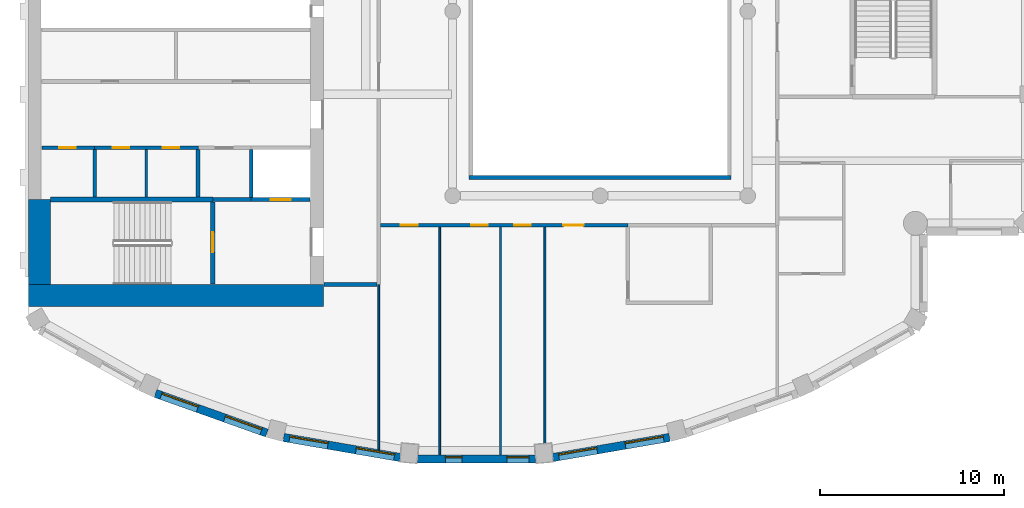
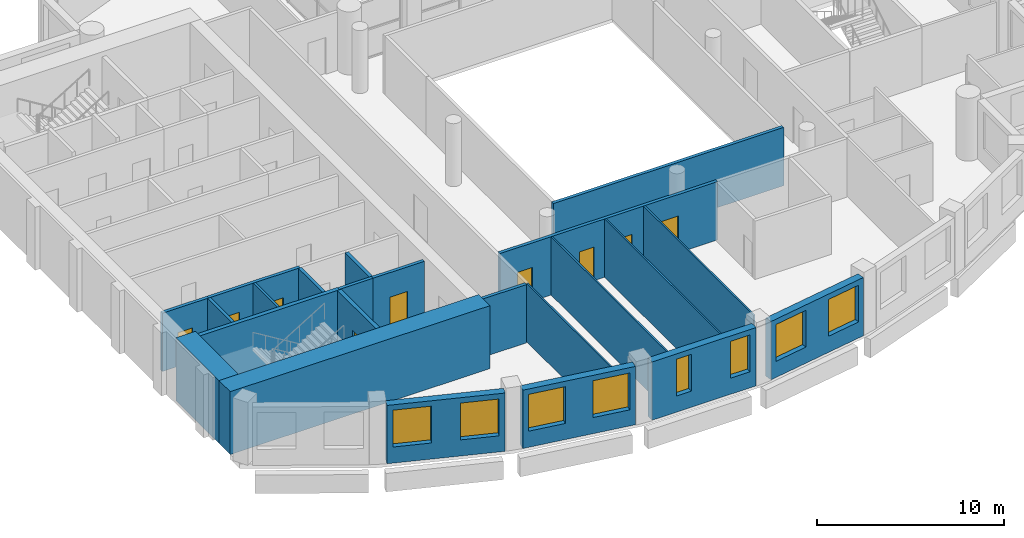
# One storey, part 4 of 15: 23 walls, 9 doors, 8 windows, 17 openings.
"""IFC4 building model written with IfcOpenShell, lengths in metres."""

from ifc_helpers import new_model, si_unit, direction, frame, frame_2d, origin, place, context, subcontext, project, spatial, rectangle, extrude, material, layer, layer_set, type_object, element, fill, save


model = new_model("IFC4")

# Units and contexts
model_context = context("Model", 3, precision=1e-05, world=origin(), true_north=direction((0.0, 1.0)))
body_context = subcontext(model_context, "Body", "Model", "MODEL_VIEW")
ifc_project = project(units=[si_unit("LENGTHUNIT", "METRE"), si_unit("AREAUNIT", "SQUARE_METRE"), si_unit("VOLUMEUNIT", "CUBIC_METRE"), si_unit("PLANEANGLEUNIT", "RADIAN"), si_unit("MASSUNIT", "GRAM", prefix="KILO")], contexts=[model_context])

# Site, building, storey
site_placement = place(None, origin())
site = spatial("IfcSite", under=ifc_project, at=site_placement, CompositionType="ELEMENT")
building_placement = place(site_placement, origin())
building = spatial("IfcBuilding", under=site, at=building_placement, Name="Cypress Arch Tower", CompositionType="ELEMENT")
storey_placement = place(building_placement, frame((0.0, 0.0, 292.60009765625)))
storey = spatial("IfcBuildingStorey", under=building, at=storey_placement, Name="L66", CompositionType="ELEMENT", Elevation=292.60009765625)

# Wall, openings, windows
ifc_material_1 = material(Name="Brick (red buff blend)", Category="masonry")
ifc_layer_1 = layer(ifc_material_1, 0.449951171875)
ifc_layer_set_1 = layer_set([ifc_layer_1], Name="Brick pier and spandrel wall BW450")
wall_type_1 = type_object("IfcWallType", Name="Brick pier and spandrel wall BW450", PredefinedType="SOLIDWALL", material=ifc_layer_set_1)
wall_1_placement = place(storey_placement, frame((-23.10498046875, -20.70947265625, 0.0), z_axis=(0.0, 0.0, 1.0), x_axis=(0.942104058931, -0.335320655711, 0.0)))
wall_1 = element("IfcWall", 1, at=wall_1_placement, inside=storey, type_object=wall_type_1, Name="Brick wall L66 C09.0", PredefinedType="SOLIDWALL", context=body_context, shape_type="SweptSolid", body=[
    extrude(rectangle(XDim=6.411376953125, YDim=0.449951171875, at=frame_2d((3.20556640625, 0.0))), origin(), (0.0, 0.0, 1.0), 3.7998046875),
])
opening_1_placement = place(wall_1_placement, frame((0.3271484375, 0.0, 1.050048828125)))
opening_1 = element("IfcOpeningElement", 2, at=opening_1_placement, cuts=wall_1, Name="Opening W210O", PredefinedType="OPENING", context=body_context, shape_type="SweptSolid", body=[
    extrude(rectangle(XDim=2.10009765625, YDim=2.39990234375, at=frame_2d((1.050048828125, 1.199951171875))), frame((0.0, 0.23486328125, 0.0), z_axis=(0.0, -1.0, 0.0), x_axis=(1.0, 0.0, 0.0)), (0.0, 0.0, 1.0), 0.469970703125),
])
opening_2_placement = place(wall_1_placement, frame((3.984619140625, 0.0, 1.050048828125)))
opening_2 = element("IfcOpeningElement", 3, at=opening_2_placement, cuts=wall_1, Name="Opening W210O", PredefinedType="OPENING", context=body_context, shape_type="SweptSolid", body=[
    extrude(rectangle(XDim=2.10009765625, YDim=2.39990234375, at=frame_2d((1.050048828125, 1.199951171875))), frame((0.0, 0.23486328125, 0.0), z_axis=(0.0, -1.0, 0.0), x_axis=(1.0, 0.0, 0.0)), (0.0, 0.0, 1.0), 0.469970703125),
])
ifc_material_2 = material(Name="Anodised aluminium, bronze finish, clear low-emissivity double glazing", Category="aluminium")
window_type_1 = type_object("IfcWindowType", Name="Window Office 2100x2400", PartitioningType="SINGLE_PANEL", PredefinedType="WINDOW", material=ifc_material_2)
window_1_placement = place(opening_1_placement, origin())
window_1 = element("IfcWindow", 4, at=window_1_placement, inside=storey, type_object=window_type_1, Name="Window L66 C09.0.1", OverallHeight=2.39990234375, OverallWidth=2.10009765625, PartitioningType="SINGLE_PANEL", PredefinedType="WINDOW", context=body_context, shape_type="SweptSolid", body=[
    extrude(rectangle(XDim=2.10009765625, YDim=2.39990234375, at=frame_2d((1.050048828125, 1.199951171875))), frame((0.0, 0.135009765625, 0.0), z_axis=(0.0, -1.0, 0.0), x_axis=(1.0, 0.0, 0.0)), (0.0, 0.0, 1.0), 0.06005859375),
])
fill(opening_1, window_1)
window_2_placement = place(opening_2_placement, origin())
window_2 = element("IfcWindow", 5, at=window_2_placement, inside=storey, type_object=window_type_1, Name="Window L66 C09.0.2", OverallHeight=2.39990234375, OverallWidth=2.10009765625, PartitioningType="SINGLE_PANEL", PredefinedType="WINDOW", context=body_context, shape_type="SweptSolid", body=[
    extrude(rectangle(XDim=2.10009765625, YDim=2.39990234375, at=frame_2d((1.050048828125, 1.199951171875))), frame((0.0, 0.135009765625, 0.0), z_axis=(0.0, -1.0, 0.0), x_axis=(1.0, 0.0, 0.0)), (0.0, 0.0, 1.0), 0.06005859375),
])
fill(opening_2, window_2)

wall_2_placement = place(storey_placement, frame((-16.15673828125, -23.09716796875, 0.0), z_axis=(0.0, 0.0, 1.0), x_axis=(0.985502073964, -0.169663379113, 0.0)))
wall_2 = element("IfcWall", 6, at=wall_2_placement, inside=storey, type_object=wall_type_1, Name="Brick wall L66 C10.0", PredefinedType="SOLIDWALL", context=body_context, shape_type="SweptSolid", body=[
    extrude(rectangle(XDim=6.412109375, YDim=0.449951171875, at=frame_2d((3.2060546875, 0.0))), origin(), (0.0, 0.0, 1.0), 3.7998046875),
])
opening_3_placement = place(wall_2_placement, frame((0.3271484375, 0.0, 1.050048828125)))
opening_3 = element("IfcOpeningElement", 7, at=opening_3_placement, cuts=wall_2, Name="Opening W210O", PredefinedType="OPENING", context=body_context, shape_type="SweptSolid", body=[
    extrude(rectangle(XDim=2.10009765625, YDim=2.39990234375, at=frame_2d((1.050048828125, 1.199951171875))), frame((0.0, 0.23486328125, 0.0), z_axis=(0.0, -1.0, 0.0), x_axis=(1.0, 0.0, 0.0)), (0.0, 0.0, 1.0), 0.469970703125),
])
opening_4_placement = place(wall_2_placement, frame((3.98486328125, 0.0, 1.050048828125)))
opening_4 = element("IfcOpeningElement", 8, at=opening_4_placement, cuts=wall_2, Name="Opening W210O", PredefinedType="OPENING", context=body_context, shape_type="SweptSolid", body=[
    extrude(rectangle(XDim=2.10009765625, YDim=2.39990234375, at=frame_2d((1.050048828125, 1.199951171875))), frame((0.0, 0.23486328125, 0.0), z_axis=(0.0, -1.0, 0.0), x_axis=(1.0, 0.0, 0.0)), (0.0, 0.0, 1.0), 0.469970703125),
])
window_3_placement = place(opening_3_placement, origin())
window_3 = element("IfcWindow", 9, at=window_3_placement, inside=storey, type_object=window_type_1, Name="Window L66 C10.0.1", OverallHeight=2.39990234375, OverallWidth=2.10009765625, PartitioningType="SINGLE_PANEL", PredefinedType="WINDOW", context=body_context, shape_type="SweptSolid", body=[
    extrude(rectangle(XDim=2.10009765625, YDim=2.39990234375, at=frame_2d((1.050048828125, 1.199951171875))), frame((0.0, 0.135009765625, 0.0), z_axis=(0.0, -1.0, 0.0), x_axis=(1.0, 0.0, 0.0)), (0.0, 0.0, 1.0), 0.06005859375),
])
fill(opening_3, window_3)
window_4_placement = place(opening_4_placement, origin())
window_4 = element("IfcWindow", 10, at=window_4_placement, inside=storey, type_object=window_type_1, Name="Window L66 C10.0.2", OverallHeight=2.39990234375, OverallWidth=2.10009765625, PartitioningType="SINGLE_PANEL", PredefinedType="WINDOW", context=body_context, shape_type="SweptSolid", body=[
    extrude(rectangle(XDim=2.10009765625, YDim=2.39990234375, at=frame_2d((1.050048828125, 1.199951171875))), frame((0.0, 0.135009765625, 0.0), z_axis=(0.0, -1.0, 0.0), x_axis=(1.0, 0.0, 0.0)), (0.0, 0.0, 1.0), 0.06005859375),
])
fill(opening_4, window_4)

wall_3_placement = place(storey_placement, frame((-8.90283203125, -24.264892578125, 0.0), z_axis=(0.0, 0.0, 1.0), x_axis=(1.0, 0.0, 0.0)))
wall_3 = element("IfcWall", 11, at=wall_3_placement, inside=storey, type_object=wall_type_1, Name="Brick wall L66 C11.0", PredefinedType="SOLIDWALL", context=body_context, shape_type="SweptSolid", body=[
    extrude(rectangle(XDim=6.405517578125, YDim=0.449951171875, at=frame_2d((3.20263671875, 0.0))), origin(), (0.0, 0.0, 1.0), 3.7998046875),
])
opening_5_placement = place(wall_3_placement, frame((1.51416015625, 0.0, 1.050048828125)))
opening_5 = element("IfcOpeningElement", 12, at=opening_5_placement, cuts=wall_3, Name="Opening W090O", PredefinedType="OPENING", context=body_context, shape_type="SweptSolid", body=[
    extrude(rectangle(XDim=0.89990234375, YDim=2.39990234375, at=frame_2d((0.449951171875, 1.199951171875))), frame((0.0, 0.23486328125, 0.0), z_axis=(0.0, -1.0, 0.0), x_axis=(1.0, 0.0, 0.0)), (0.0, 0.0, 1.0), 0.469970703125),
])
opening_6_placement = place(wall_3_placement, frame((4.84130859375, 0.0, 1.050048828125)))
opening_6 = element("IfcOpeningElement", 13, at=opening_6_placement, cuts=wall_3, Name="Opening W120O", PredefinedType="OPENING", context=body_context, shape_type="SweptSolid", body=[
    extrude(rectangle(XDim=1.199951171875, YDim=2.39990234375, at=frame_2d((0.60009765625, 1.199951171875))), frame((0.0, 0.23486328125, 0.0), z_axis=(0.0, -1.0, 0.0), x_axis=(1.0, 0.0, 0.0)), (0.0, 0.0, 1.0), 0.469970703125),
])
ifc_material_3 = material(Name="Anodised aluminium, bronze finish, clear low-emissivity double glazing", Category="aluminium")
window_type_2 = type_object("IfcWindowType", Name="Window Office 1200x2400", PartitioningType="SINGLE_PANEL", PredefinedType="WINDOW", material=ifc_material_3)
window_5_placement = place(opening_6_placement, origin())
window_5 = element("IfcWindow", 14, at=window_5_placement, inside=storey, type_object=window_type_2, Name="Window L66 C11.0.2", OverallHeight=2.39990234375, OverallWidth=1.199951171875, PartitioningType="SINGLE_PANEL", PredefinedType="WINDOW", context=body_context, shape_type="SweptSolid", body=[
    extrude(rectangle(XDim=1.199951171875, YDim=2.39990234375, at=frame_2d((0.60009765625, 1.199951171875))), frame((0.0, 0.135009765625, 0.0), z_axis=(0.0, -1.0, 0.0), x_axis=(1.0, 0.0, 0.0)), (0.0, 0.0, 1.0), 0.06005859375),
])
fill(opening_6, window_5)
ifc_material_4 = material(Name="Anodised aluminium, bronze finish, clear low-emissivity double glazing", Category="aluminium")
window_type_3 = type_object("IfcWindowType", Name="Window Office 900x2400", PartitioningType="SINGLE_PANEL", PredefinedType="WINDOW", material=ifc_material_4)
window_6_placement = place(opening_5_placement, origin())
window_6 = element("IfcWindow", 15, at=window_6_placement, inside=storey, type_object=window_type_3, Name="Window L66 C11.0.1", OverallHeight=2.39990234375, OverallWidth=0.89990234375, PartitioningType="SINGLE_PANEL", PredefinedType="WINDOW", context=body_context, shape_type="SweptSolid", body=[
    extrude(rectangle(XDim=0.89990234375, YDim=2.39990234375, at=frame_2d((0.449951171875, 1.199951171875))), frame((0.0, 0.135009765625, 0.0), z_axis=(0.0, -1.0, 0.0), x_axis=(1.0, 0.0, 0.0)), (0.0, 0.0, 1.0), 0.06005859375),
])
fill(opening_5, window_6)

wall_4_placement = place(storey_placement, frame((-1.562255859375, -24.18505859375, 0.0), z_axis=(0.0, 0.0, 1.0), x_axis=(0.985502073964, 0.169663379113, 0.0)))
wall_4 = element("IfcWall", 16, at=wall_4_placement, inside=storey, type_object=wall_type_1, Name="Brick wall L66 C12.0", PredefinedType="SOLIDWALL", context=body_context, shape_type="SweptSolid", body=[
    extrude(rectangle(XDim=6.412109375, YDim=0.449951171875, at=frame_2d((3.2060546875, 0.0))), origin(), (0.0, 0.0, 1.0), 3.7998046875),
])
opening_7_placement = place(wall_4_placement, frame((0.3271484375, 0.0, 1.050048828125)))
opening_7 = element("IfcOpeningElement", 17, at=opening_7_placement, cuts=wall_4, Name="Opening W210O", PredefinedType="OPENING", context=body_context, shape_type="SweptSolid", body=[
    extrude(rectangle(XDim=2.10009765625, YDim=2.39990234375, at=frame_2d((1.050048828125, 1.199951171875))), frame((0.0, 0.23486328125, 0.0), z_axis=(0.0, -1.0, 0.0), x_axis=(1.0, 0.0, 0.0)), (0.0, 0.0, 1.0), 0.469970703125),
])
opening_8_placement = place(wall_4_placement, frame((3.98486328125, 0.0, 1.050048828125)))
opening_8 = element("IfcOpeningElement", 18, at=opening_8_placement, cuts=wall_4, Name="Opening W210O", PredefinedType="OPENING", context=body_context, shape_type="SweptSolid", body=[
    extrude(rectangle(XDim=2.10009765625, YDim=2.39990234375, at=frame_2d((1.050048828125, 1.199951171875))), frame((0.0, 0.23486328125, 0.0), z_axis=(0.0, -1.0, 0.0), x_axis=(1.0, 0.0, 0.0)), (0.0, 0.0, 1.0), 0.469970703125),
])
window_7_placement = place(opening_7_placement, origin())
window_7 = element("IfcWindow", 19, at=window_7_placement, inside=storey, type_object=window_type_1, Name="Window L66 C12.0.1", OverallHeight=2.39990234375, OverallWidth=2.10009765625, PartitioningType="SINGLE_PANEL", PredefinedType="WINDOW", context=body_context, shape_type="SweptSolid", body=[
    extrude(rectangle(XDim=2.10009765625, YDim=2.39990234375, at=frame_2d((1.050048828125, 1.199951171875))), frame((0.0, 0.135009765625, 0.0), z_axis=(0.0, -1.0, 0.0), x_axis=(1.0, 0.0, 0.0)), (0.0, 0.0, 1.0), 0.06005859375),
])
fill(opening_7, window_7)
window_8_placement = place(opening_8_placement, origin())
window_8 = element("IfcWindow", 20, at=window_8_placement, inside=storey, type_object=window_type_1, Name="Window L66 C12.0.2", OverallHeight=2.39990234375, OverallWidth=2.10009765625, PartitioningType="SINGLE_PANEL", PredefinedType="WINDOW", context=body_context, shape_type="SweptSolid", body=[
    extrude(rectangle(XDim=2.10009765625, YDim=2.39990234375, at=frame_2d((1.050048828125, 1.199951171875))), frame((0.0, 0.135009765625, 0.0), z_axis=(0.0, -1.0, 0.0), x_axis=(1.0, 0.0, 0.0)), (0.0, 0.0, 1.0), 0.06005859375),
])
fill(opening_8, window_8)

# Walls
ifc_material_5 = material(Name="Concrete C60/75", Category="concrete")
ifc_layer_2 = layer(ifc_material_5, 1.199951171875)
ifc_layer_set_2 = layer_set([ifc_layer_2], Name="Core wall CW1200 C60/75")
wall_type_2 = type_object("IfcWallType", Name="Core wall CW1200 C60/75", PredefinedType="SHEAR", material=ifc_layer_set_2)
wall_5_placement = place(storey_placement, frame((-30.0, -15.39990234375, 0.0), z_axis=(0.0, 0.0, 1.0), x_axis=(1.0, 0.0, 0.0)))
element("IfcWall", 21, at=wall_5_placement, inside=storey, type_object=wall_type_2, Name="Core wall", PredefinedType="SHEAR", context=body_context, shape_type="SweptSolid", body=[
    extrude(rectangle(XDim=16.0, YDim=1.199951171875, at=frame_2d((8.0, 0.0))), origin(), (0.0, 0.0, 1.0), 4.099853515625),
])
wall_6_placement = place(storey_placement, frame((-29.39990234375, -14.800048828125, 0.0), z_axis=(0.0, 0.0, 1.0), x_axis=(0.0, 1.0, 0.0)))
element("IfcWall", 22, at=wall_6_placement, inside=storey, type_object=wall_type_2, Name="Core wall", PredefinedType="SHEAR", context=body_context, shape_type="SweptSolid", body=[
    extrude(rectangle(XDim=4.60009765625, YDim=1.199951171875, at=frame_2d((2.300048828125, 0.0))), origin(), (0.0, 0.0, 1.0), 4.099853515625),
])

# Wall, openings, doors
ifc_material_6 = material(Name="Concrete blockwork, plastered, rated", Category="masonry")
ifc_layer_3 = layer(ifc_material_6, 0.199951171875)
ifc_layer_set_3 = layer_set([ifc_layer_3], Name="Corridor wall FW200")
wall_type_3 = type_object("IfcWallType", Name="Corridor wall FW200", PredefinedType="PARTITIONING", material=ifc_layer_set_3)
wall_7_placement = place(storey_placement, frame((-26.419921875, -7.39990234375, 0.0), z_axis=(0.0, 0.0, 1.0), x_axis=(1.0, 0.0, 0.0)))
wall_7 = element("IfcWall", 23, at=wall_7_placement, inside=storey, type_object=wall_type_3, Name="Corridor wall", PredefinedType="PARTITIONING", context=body_context, shape_type="SweptSolid", body=[
    extrude(rectangle(XDim=5.639892578125, YDim=0.199951171875, at=frame_2d((2.81982421875, 0.0))), origin(), (0.0, 0.0, 1.0), 3.7998046875),
])
opening_9_placement = place(wall_7_placement, frame((1.0, 0.0, 0.0)))
opening_9 = element("IfcOpeningElement", 24, at=opening_9_placement, cuts=wall_7, Name="Opening D05", PredefinedType="OPENING", context=body_context, shape_type="SweptSolid", body=[
    extrude(rectangle(XDim=0.89990234375, YDim=2.199951171875, at=frame_2d((0.449951171875, 1.10009765625))), frame((0.0, 0.10986328125, 0.0), z_axis=(0.0, -1.0, 0.0), x_axis=(1.0, 0.0, 0.0)), (0.0, 0.0, 1.0), 0.219970703125),
])
opening_10_placement = place(wall_7_placement, frame((3.699951171875, 0.0, 0.0)))
opening_10 = element("IfcOpeningElement", 25, at=opening_10_placement, cuts=wall_7, Name="Opening D05", PredefinedType="OPENING", context=body_context, shape_type="SweptSolid", body=[
    extrude(rectangle(XDim=0.89990234375, YDim=2.199951171875, at=frame_2d((0.449951171875, 1.10009765625))), frame((0.0, 0.10986328125, 0.0), z_axis=(0.0, -1.0, 0.0), x_axis=(1.0, 0.0, 0.0)), (0.0, 0.0, 1.0), 0.219970703125),
])
ifc_material_7 = material(Name="Timber flush door", Category="wood")
door_type_1 = type_object("IfcDoorType", Name="Service door D05 900x2200", OperationType="SINGLE_SWING_LEFT", PredefinedType="DOOR", material=ifc_material_7)
door_1_placement = place(opening_9_placement, origin())
door_1 = element("IfcDoor", 26, at=door_1_placement, inside=storey, type_object=door_type_1, Name="Service door", OperationType="SINGLE_SWING_LEFT", OverallHeight=2.199951171875, OverallWidth=0.89990234375, PredefinedType="DOOR", context=body_context, shape_type="SweptSolid", body=[
    extrude(rectangle(XDim=0.89990234375, YDim=2.199951171875, at=frame_2d((0.449951171875, 1.10009765625))), frame((0.0, 0.02490234375, 0.0), z_axis=(0.0, -1.0, 0.0), x_axis=(1.0, 0.0, 0.0)), (0.0, 0.0, 1.0), 0.050048828125),
])
fill(opening_9, door_1)
door_2_placement = place(opening_10_placement, origin())
door_2 = element("IfcDoor", 27, at=door_2_placement, inside=storey, type_object=door_type_1, Name="Service door", OperationType="SINGLE_SWING_RIGHT", OverallHeight=2.199951171875, OverallWidth=0.89990234375, PredefinedType="DOOR", context=body_context, shape_type="SweptSolid", body=[
    extrude(rectangle(XDim=0.89990234375, YDim=2.199951171875, at=frame_2d((0.449951171875, 1.10009765625))), frame((0.0, 0.02490234375, 0.0), z_axis=(0.0, -1.0, 0.0), x_axis=(1.0, 0.0, 0.0)), (0.0, 0.0, 1.0), 0.050048828125),
])
fill(opening_10, door_2)

# Wall
wall_8_placement = place(storey_placement, frame((-13.969970703125, -14.800048828125, 0.0), z_axis=(0.0, 0.0, 1.0), x_axis=(1.0, 0.0, 0.0)))
element("IfcWall", 28, at=wall_8_placement, inside=storey, type_object=wall_type_3, Name="Corridor wall", PredefinedType="PARTITIONING", context=body_context, shape_type="SweptSolid", body=[
    extrude(rectangle(XDim=2.869873046875, YDim=0.199951171875, at=frame_2d((1.43505859375, 0.0))), origin(), (0.0, 0.0, 1.0), 3.7998046875),
])

# Wall, openings, doors
wall_9_placement = place(storey_placement, frame((-10.89990234375, -11.60009765625, 0.0), z_axis=(0.0, 0.0, 1.0), x_axis=(1.0, 0.0, 0.0)))
wall_9 = element("IfcWall", 29, at=wall_9_placement, inside=storey, type_object=wall_type_3, Name="Corridor wall", PredefinedType="PARTITIONING", context=body_context, shape_type="SweptSolid", body=[
    extrude(rectangle(XDim=13.4208984375, YDim=0.199951171875, at=frame_2d((6.71044921875, 0.0))), origin(), (0.0, 0.0, 1.0), 3.7998046875),
])
opening_11_placement = place(wall_9_placement, frame((1.10009765625, 0.0, 0.0)))
opening_11 = element("IfcOpeningElement", 30, at=opening_11_placement, cuts=wall_9, Name="Opening D03", PredefinedType="OPENING", context=body_context, shape_type="SweptSolid", body=[
    extrude(rectangle(XDim=0.89990234375, YDim=2.199951171875, at=frame_2d((0.449951171875, 1.10009765625))), frame((0.0, 0.10986328125, 0.0), z_axis=(0.0, -1.0, 0.0), x_axis=(1.0, 0.0, 0.0)), (0.0, 0.0, 1.0), 0.219970703125),
])
opening_12_placement = place(wall_9_placement, frame((4.89990234375, 0.0, 0.0)))
opening_12 = element("IfcOpeningElement", 31, at=opening_12_placement, cuts=wall_9, Name="Opening D03", PredefinedType="OPENING", context=body_context, shape_type="SweptSolid", body=[
    extrude(rectangle(XDim=0.89990234375, YDim=2.199951171875, at=frame_2d((0.449951171875, 1.10009765625))), frame((0.0, 0.10986328125, 0.0), z_axis=(0.0, -1.0, 0.0), x_axis=(1.0, 0.0, 0.0)), (0.0, 0.0, 1.0), 0.219970703125),
])
opening_13_placement = place(wall_9_placement, frame((7.25, 0.0, 0.0)))
opening_13 = element("IfcOpeningElement", 32, at=opening_13_placement, cuts=wall_9, Name="Opening D03", PredefinedType="OPENING", context=body_context, shape_type="SweptSolid", body=[
    extrude(rectangle(XDim=0.89990234375, YDim=2.199951171875, at=frame_2d((0.449951171875, 1.10009765625))), frame((0.0, 0.10986328125, 0.0), z_axis=(0.0, -1.0, 0.0), x_axis=(1.0, 0.0, 0.0)), (0.0, 0.0, 1.0), 0.219970703125),
])
opening_14_placement = place(wall_9_placement, frame((9.89990234375, 0.0, 0.0)))
opening_14 = element("IfcOpeningElement", 33, at=opening_14_placement, cuts=wall_9, Name="Opening D01", PredefinedType="OPENING", context=body_context, shape_type="SweptSolid", body=[
    extrude(rectangle(XDim=1.10009765625, YDim=2.39990234375, at=frame_2d((0.550048828125, 1.199951171875))), frame((0.0, 0.10986328125, 0.0), z_axis=(0.0, -1.0, 0.0), x_axis=(1.0, 0.0, 0.0)), (0.0, 0.0, 1.0), 0.219970703125),
])
ifc_material_8 = material(Name="Timber flush door, moisture resistant", Category="wood")
door_type_2 = type_object("IfcDoorType", Name="Bathroom door D03 900x2200", OperationType="SINGLE_SWING_LEFT", PredefinedType="DOOR", material=ifc_material_8)
door_3_placement = place(opening_11_placement, origin())
door_3 = element("IfcDoor", 34, at=door_3_placement, inside=storey, type_object=door_type_2, Name="Bathroom door", OperationType="SINGLE_SWING_RIGHT", OverallHeight=2.199951171875, OverallWidth=0.89990234375, PredefinedType="DOOR", context=body_context, shape_type="SweptSolid", body=[
    extrude(rectangle(XDim=0.89990234375, YDim=2.199951171875, at=frame_2d((0.449951171875, 1.10009765625))), frame((0.0, 0.02490234375, 0.0), z_axis=(0.0, -1.0, 0.0), x_axis=(1.0, 0.0, 0.0)), (0.0, 0.0, 1.0), 0.050048828125),
])
fill(opening_11, door_3)
door_4_placement = place(opening_12_placement, origin())
door_4 = element("IfcDoor", 35, at=door_4_placement, inside=storey, type_object=door_type_2, Name="Bathroom door", OperationType="SINGLE_SWING_LEFT", OverallHeight=2.199951171875, OverallWidth=0.89990234375, PredefinedType="DOOR", context=body_context, shape_type="SweptSolid", body=[
    extrude(rectangle(XDim=0.89990234375, YDim=2.199951171875, at=frame_2d((0.449951171875, 1.10009765625))), frame((0.0, 0.02490234375, 0.0), z_axis=(0.0, -1.0, 0.0), x_axis=(1.0, 0.0, 0.0)), (0.0, 0.0, 1.0), 0.050048828125),
])
fill(opening_12, door_4)
door_5_placement = place(opening_13_placement, origin())
door_5 = element("IfcDoor", 36, at=door_5_placement, inside=storey, type_object=door_type_2, Name="Bathroom door", OperationType="SINGLE_SWING_LEFT", OverallHeight=2.199951171875, OverallWidth=0.89990234375, PredefinedType="DOOR", context=body_context, shape_type="SweptSolid", body=[
    extrude(rectangle(XDim=0.89990234375, YDim=2.199951171875, at=frame_2d((0.449951171875, 1.10009765625))), frame((0.0, 0.02490234375, 0.0), z_axis=(0.0, -1.0, 0.0), x_axis=(1.0, 0.0, 0.0)), (0.0, 0.0, 1.0), 0.050048828125),
])
fill(opening_13, door_5)
ifc_material_9 = material(Name="Timber flush door, fire resisting, self-closing", Category="wood")
door_type_3 = type_object("IfcDoorType", Name="Unit entrance door D01 1100x2400", OperationType="SINGLE_SWING_LEFT", PredefinedType="DOOR", material=ifc_material_9)
door_6_placement = place(opening_14_placement, origin())
door_6 = element("IfcDoor", 37, at=door_6_placement, inside=storey, type_object=door_type_3, Name="Unit entrance door", OperationType="SINGLE_SWING_RIGHT", OverallHeight=2.39990234375, OverallWidth=1.10009765625, PredefinedType="DOOR", context=body_context, shape_type="SweptSolid", body=[
    extrude(rectangle(XDim=1.10009765625, YDim=2.39990234375, at=frame_2d((0.550048828125, 1.199951171875))), frame((0.0, 0.02490234375, 0.0), z_axis=(0.0, -1.0, 0.0), x_axis=(1.0, 0.0, 0.0)), (0.0, 0.0, 1.0), 0.050048828125),
])
fill(opening_14, door_6)

# Walls
wall_10_placement = place(storey_placement, frame((-6.10009765625, -9.0, 0.0), z_axis=(0.0, 0.0, 1.0), x_axis=(1.0, 0.0, 0.0)))
element("IfcWall", 38, at=wall_10_placement, inside=storey, type_object=wall_type_3, Name="Corridor wall", PredefinedType="PARTITIONING", context=body_context, shape_type="SweptSolid", body=[
    extrude(rectangle(XDim=14.2001953125, YDim=0.199951171875, at=frame_2d((7.10009765625, 0.0))), origin(), (0.0, 0.0, 1.0), 3.7998046875),
])
ifc_material_10 = material(Name="Blockwork, plastered both sides", Category="masonry")
ifc_layer_4 = layer(ifc_material_10, 0.14990234375)
ifc_layer_set_4 = layer_set([ifc_layer_4], Name="Partition PW150")
wall_type_4 = type_object("IfcWallType", Name="Partition PW150", PredefinedType="PARTITIONING", material=ifc_layer_set_4)
wall_11_placement = place(storey_placement, frame((-23.60009765625, -10.074951171875, 0.0), z_axis=(0.0, 0.0, 1.0), x_axis=(0.0, 1.0, 0.0)))
element("IfcWall", 39, at=wall_11_placement, inside=storey, type_object=wall_type_4, Name="Partition", PredefinedType="PARTITIONING", context=body_context, shape_type="SweptSolid", body=[
    extrude(rectangle(XDim=2.574951171875, YDim=0.14990234375, at=frame_2d((1.28759765625, 0.0))), origin(), (0.0, 0.0, 1.0), 3.7998046875),
])

# Wall, opening, door
ifc_material_11 = material(Name="Reinforced blockwork, plastered, rated", Category="masonry")
ifc_layer_5 = layer(ifc_material_11, 0.199951171875)
ifc_layer_set_5 = layer_set([ifc_layer_5], Name="Plant and riser wall PL200")
wall_type_5 = type_object("IfcWallType", Name="Plant and riser wall PL200", PredefinedType="PARTITIONING", material=ifc_layer_set_5)
wall_12_placement = place(storey_placement, frame((-29.27001953125, -7.39990234375, 0.0), z_axis=(0.0, 0.0, 1.0), x_axis=(1.0, 0.0, 0.0)))
wall_12 = element("IfcWall", 40, at=wall_12_placement, inside=storey, type_object=wall_type_5, Name="Plant and riser wall", PredefinedType="PARTITIONING", context=body_context, shape_type="SweptSolid", body=[
    extrude(rectangle(XDim=2.85009765625, YDim=0.199951171875, at=frame_2d((1.425048828125, 0.0))), origin(), (0.0, 0.0, 1.0), 3.7998046875),
])
opening_15_placement = place(wall_12_placement, frame((0.949951171875, 0.0, 0.0)))
opening_15 = element("IfcOpeningElement", 41, at=opening_15_placement, cuts=wall_12, Name="Opening D05", PredefinedType="OPENING", context=body_context, shape_type="SweptSolid", body=[
    extrude(rectangle(XDim=0.89990234375, YDim=2.199951171875, at=frame_2d((0.449951171875, 1.10009765625))), frame((0.0, 0.10986328125, 0.0), z_axis=(0.0, -1.0, 0.0), x_axis=(1.0, 0.0, 0.0)), (0.0, 0.0, 1.0), 0.219970703125),
])
door_7_placement = place(opening_15_placement, origin())
door_7 = element("IfcDoor", 42, at=door_7_placement, inside=storey, type_object=door_type_1, Name="Service door", OperationType="SINGLE_SWING_LEFT", OverallHeight=2.199951171875, OverallWidth=0.89990234375, PredefinedType="DOOR", context=body_context, shape_type="SweptSolid", body=[
    extrude(rectangle(XDim=0.89990234375, YDim=2.199951171875, at=frame_2d((0.449951171875, 1.10009765625))), frame((0.0, 0.02490234375, 0.0), z_axis=(0.0, -1.0, 0.0), x_axis=(1.0, 0.0, 0.0)), (0.0, 0.0, 1.0), 0.050048828125),
])
fill(opening_15, door_7)

# Walls
for number, where, z_axis, x_axis, name in (
    (43, (-26.39990234375, -10.074951171875, 0.0), (0.0, 0.0, 1.0), (0.0, 1.0, 0.0), "Plant and riser wall"),
    (44, (-20.800048828125, -10.074951171875, 0.0), (0.0, 0.0, 1.0), (0.0, 1.0, 0.0), "Plant and riser wall"),
):
    element("IfcWall", number, at=place(storey_placement, frame(where, z_axis=z_axis, x_axis=x_axis)), inside=storey, type_object=wall_type_5, Name=name, PredefinedType="PARTITIONING", context=body_context, shape_type="SweptSolid", body=[
        extrude(rectangle(XDim=2.574951171875, YDim=0.199951171875, at=frame_2d((1.28759765625, 0.0))), origin(), (0.0, 0.0, 1.0), 3.7998046875),
    ])
wall_13_placement = place(storey_placement, frame((-20.0, -10.199951171875, 0.0), z_axis=(0.0, 0.0, 1.0), x_axis=(1.0, 0.0, 0.0)))
element("IfcWall", 45, at=wall_13_placement, inside=storey, type_object=wall_type_5, Name="Plant and riser wall", PredefinedType="PARTITIONING", context=body_context, shape_type="SweptSolid", body=[
    extrude(rectangle(XDim=2.080078125, YDim=0.199951171875, at=frame_2d((1.0400390625, 0.0))), origin(), (0.0, 0.0, 1.0), 3.7998046875),
])
ifc_material_12 = material(Name="Concrete C50/60", Category="concrete")
ifc_layer_6 = layer(ifc_material_12, 0.199951171875)
ifc_layer_set_6 = layer_set([ifc_layer_6], Name="Shaft wall SH200")
wall_type_6 = type_object("IfcWallType", Name="Shaft wall SH200", PredefinedType="SHEAR", material=ifc_layer_set_6)
wall_14_placement = place(storey_placement, frame((-17.919921875, -10.10009765625, 0.0), z_axis=(0.0, 0.0, 1.0), x_axis=(0.0, 1.0, 0.0)))
element("IfcWall", 46, at=wall_14_placement, inside=storey, type_object=wall_type_6, Name="Shaft wall", PredefinedType="SHEAR", context=body_context, shape_type="SweptSolid", body=[
    extrude(rectangle(XDim=2.60009765625, YDim=0.199951171875, at=frame_2d((1.300048828125, 0.0))), origin(), (0.0, 0.0, 1.0), 3.7998046875),
])

# Wall, opening, door
wall_15_placement = place(storey_placement, frame((-17.919921875, -10.199951171875, 0.0), z_axis=(0.0, 0.0, 1.0), x_axis=(1.0, 0.0, 0.0)))
wall_15 = element("IfcWall", 47, at=wall_15_placement, inside=storey, type_object=wall_type_6, Name="Shaft wall", PredefinedType="SHEAR", context=body_context, shape_type="SweptSolid", body=[
    extrude(rectangle(XDim=3.18994140625, YDim=0.199951171875, at=frame_2d((1.594970703125, 0.0))), origin(), (0.0, 0.0, 1.0), 3.7998046875),
])
opening_16_placement = place(wall_15_placement, frame((1.050048828125, 0.0, 0.0)))
opening_16 = element("IfcOpeningElement", 48, at=opening_16_placement, cuts=wall_15, Name="Opening LD-FL1", PredefinedType="OPENING", context=body_context, shape_type="SweptSolid", body=[
    extrude(rectangle(XDim=1.10009765625, YDim=2.199951171875, at=frame_2d((0.550048828125, 1.10009765625))), frame((0.0, 0.10986328125, 0.0), z_axis=(0.0, -1.0, 0.0), x_axis=(1.0, 0.0, 0.0)), (0.0, 0.0, 1.0), 0.219970703125),
])
ifc_material_13 = material(Name="Stainless steel centre-opening landing door, rated", Category="steel")
door_type_4 = type_object("IfcDoorType", Name="Lift landing door LD 1100x2200", OperationType="DOUBLE_DOOR_SLIDING", PredefinedType="DOOR", material=ifc_material_13)
door_8_placement = place(opening_16_placement, origin())
door_8 = element("IfcDoor", 49, at=door_8_placement, inside=storey, type_object=door_type_4, Name="Lift landing doors FL1", OperationType="DOUBLE_DOOR_SLIDING", OverallHeight=2.199951171875, OverallWidth=1.10009765625, PredefinedType="DOOR", context=body_context, shape_type="SweptSolid", body=[
    extrude(rectangle(XDim=1.10009765625, YDim=2.199951171875, at=frame_2d((0.550048828125, 1.10009765625))), frame((0.0, 0.02490234375, 0.0), z_axis=(0.0, -1.0, 0.0), x_axis=(1.0, 0.0, 0.0)), (0.0, 0.0, 1.0), 0.050048828125),
])
fill(opening_16, door_8)

# Wall
ifc_material_14 = material(Name="Concrete C50/60", Category="concrete")
ifc_layer_7 = layer(ifc_material_14, 0.25)
ifc_layer_set_7 = layer_set([ifc_layer_7], Name="Stair enclosure wall SW250")
wall_type_7 = type_object("IfcWallType", Name="Stair enclosure wall SW250", PredefinedType="SHEAR", material=ifc_layer_set_7)
wall_16_placement = place(storey_placement, frame((-28.81005859375, -10.199951171875, 0.0), z_axis=(0.0, 0.0, 1.0), x_axis=(1.0, 0.0, 0.0)))
element("IfcWall", 50, at=wall_16_placement, inside=storey, type_object=wall_type_7, Name="Stair enclosure wall", PredefinedType="SHEAR", context=body_context, shape_type="SweptSolid", body=[
    extrude(rectangle(XDim=8.81005859375, YDim=0.25, at=frame_2d((4.405029296875, 0.0))), origin(), (0.0, 0.0, 1.0), 3.7998046875),
])

# Wall, opening, door
wall_17_placement = place(storey_placement, frame((-20.0, -14.77001953125, 0.0), z_axis=(0.0, 0.0, 1.0), x_axis=(0.0, 1.0, 0.0)))
wall_17 = element("IfcWall", 51, at=wall_17_placement, inside=storey, type_object=wall_type_7, Name="Stair enclosure wall", PredefinedType="SHEAR", context=body_context, shape_type="SweptSolid", body=[
    extrude(rectangle(XDim=4.445068359375, YDim=0.25, at=frame_2d((2.22265625, 0.0))), origin(), (0.0, 0.0, 1.0), 3.7998046875),
])
opening_17_placement = place(wall_17_placement, frame((1.699951171875, 0.0, 0.0)))
opening_17 = element("IfcOpeningElement", 52, at=opening_17_placement, cuts=wall_17, Name="Opening D06", PredefinedType="OPENING", context=body_context, shape_type="SweptSolid", body=[
    extrude(rectangle(XDim=1.10009765625, YDim=2.199951171875, at=frame_2d((0.550048828125, 1.10009765625))), frame((0.0, 0.135009765625, 0.0), z_axis=(0.0, -1.0, 0.0), x_axis=(1.0, 0.0, 0.0)), (0.0, 0.0, 1.0), 0.27001953125),
])
ifc_material_15 = material(Name="Steel door, fire resisting, panic bar", Category="steel")
door_type_5 = type_object("IfcDoorType", Name="Stair door D06 1100x2200", OperationType="SINGLE_SWING_LEFT", PredefinedType="DOOR", material=ifc_material_15)
door_9_placement = place(opening_17_placement, origin())
door_9 = element("IfcDoor", 53, at=door_9_placement, inside=storey, type_object=door_type_5, Name="Stair door", OperationType="SINGLE_SWING_RIGHT", OverallHeight=2.199951171875, OverallWidth=1.10009765625, PredefinedType="DOOR", context=body_context, shape_type="SweptSolid", body=[
    extrude(rectangle(XDim=1.10009765625, YDim=2.199951171875, at=frame_2d((0.550048828125, 1.10009765625))), frame((0.0, 0.02490234375, 0.0), z_axis=(0.0, -1.0, 0.0), x_axis=(1.0, 0.0, 0.0)), (0.0, 0.0, 1.0), 0.050048828125),
])
fill(opening_17, door_9)

# Walls
ifc_material_16 = material(Name="Moisture resistant board on steel studs, tiled", Category="steel")
ifc_layer_8 = layer(ifc_material_16, 0.10009765625)
ifc_layer_set_8 = layer_set([ifc_layer_8], Name="Wet wall PW100")
wall_type_8 = type_object("IfcWallType", Name="Wet wall PW100", PredefinedType="PARTITIONING", material=ifc_layer_set_8)
wall_18_placement = place(storey_placement, frame((-11.0, -23.756591796875, 0.0), z_axis=(0.0, 0.0, 1.0), x_axis=(0.0, 1.0, 0.0)))
element("IfcWall", 54, at=wall_18_placement, inside=storey, type_object=wall_type_8, Name="Wet wall", PredefinedType="PARTITIONING", context=body_context, shape_type="SweptSolid", body=[
    extrude(rectangle(XDim=8.9365234375, YDim=0.10009765625, at=frame_2d((4.46826171875, 0.0))), origin(), (0.0, 0.0, 1.0), 3.7998046875),
])
for number, where, z_axis, x_axis, name in (
    (55, (-7.699951171875, -24.0400390625, 0.0), (0.0, 0.0, 1.0), (0.0, 1.0, 0.0), "Wet wall"),
    (56, (-4.39990234375, -24.0400390625, 0.0), (0.0, 0.0, 1.0), (0.0, 1.0, 0.0), "Wet wall"),
):
    element("IfcWall", number, at=place(storey_placement, frame(where, z_axis=z_axis, x_axis=x_axis)), inside=storey, type_object=wall_type_8, Name=name, PredefinedType="PARTITIONING", context=body_context, shape_type="SweptSolid", body=[
        extrude(rectangle(XDim=12.340087890625, YDim=0.10009765625, at=frame_2d((6.169921875, 0.0))), origin(), (0.0, 0.0, 1.0), 3.7998046875),
    ])
wall_19_placement = place(storey_placement, frame((-2.0, -23.447265625, 0.0), z_axis=(0.0, 0.0, 1.0), x_axis=(0.0, 1.0, 0.0)))
element("IfcWall", 57, at=wall_19_placement, inside=storey, type_object=wall_type_8, Name="Wet wall", PredefinedType="PARTITIONING", context=body_context, shape_type="SweptSolid", body=[
    extrude(rectangle(XDim=11.747314453125, YDim=0.10009765625, at=frame_2d((5.87353515625, 0.0))), origin(), (0.0, 0.0, 1.0), 3.7998046875),
])

save(model, "model.ifc")
